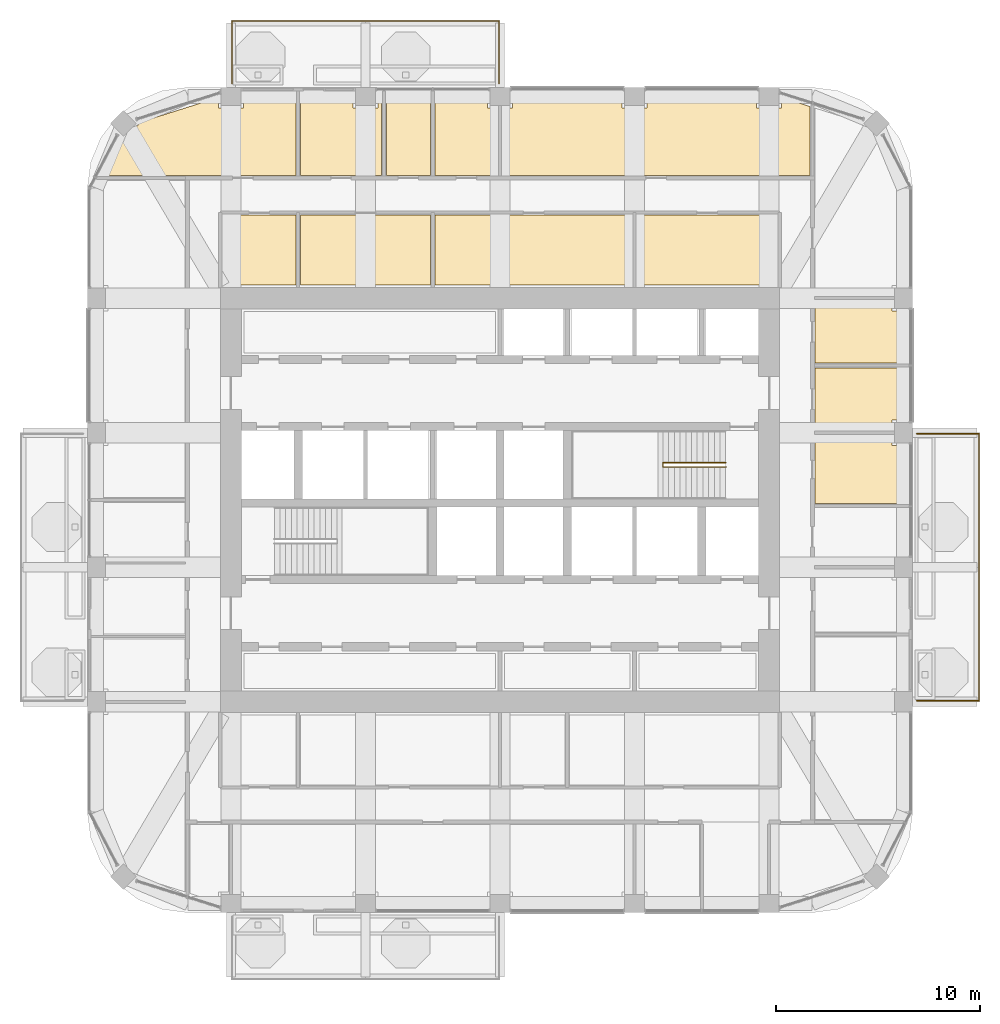
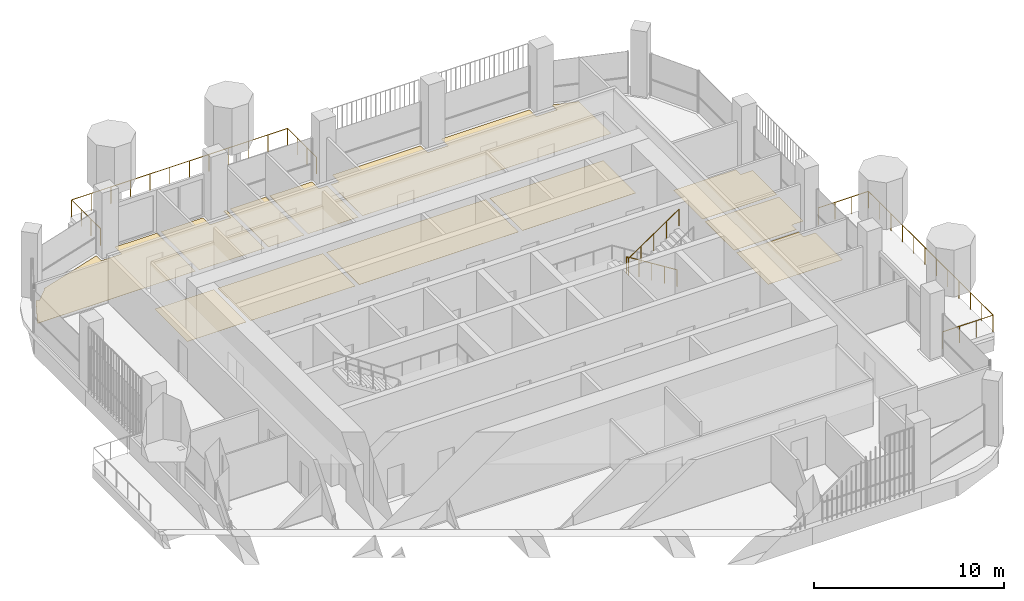
# One storey, part 18 of 20: 12 coverings, 3 railings.
"""IFC4 building model written with IfcOpenShell, lengths in metres."""

from ifc_helpers import new_model, si_unit, direction, frame, origin, place, context, subcontext, project, spatial, polyline, outline, extrude, material, layer, layer_set, type_object, element, save


model = new_model("IFC4")

# Units and contexts
model_context = context("Model", 3, precision=1e-05, world=origin(), true_north=direction((0.0, 1.0)))
body_context = subcontext(model_context, "Body", "Model", "MODEL_VIEW")
ifc_project = project(units=[si_unit("LENGTHUNIT", "METRE"), si_unit("AREAUNIT", "SQUARE_METRE"), si_unit("VOLUMEUNIT", "CUBIC_METRE"), si_unit("PLANEANGLEUNIT", "RADIAN"), si_unit("MASSUNIT", "GRAM", prefix="KILO")], contexts=[model_context])

# Site, building, storey
site_placement = place(None, origin())
site = spatial("IfcSite", under=ifc_project, at=site_placement, CompositionType="ELEMENT")
building_placement = place(site_placement, origin())
building = spatial("IfcBuilding", under=site, at=building_placement, Name="Cobogo Forest Laboratory Tower", CompositionType="ELEMENT")
storey_placement = place(building_placement, frame((0.0, 0.0, 279.60009765625)))
storey = spatial("IfcBuildingStorey", under=building, at=storey_placement, Name="L64", CompositionType="ELEMENT", Elevation=279.60009765625)

# Railings
ifc_material_1 = material(Name="Laminated glass balustrade", Category="glass")
railing_type_1 = type_object("IfcRailingType", Name="BG1 glass balustrade 1100", PredefinedType="GUARDRAIL", material=ifc_material_1)
railing_1_placement = place(storey_placement, frame((46.85009765625, 13.25, 0.0)))
element("IfcRailing", 1, at=railing_1_placement, inside=storey, type_object=railing_type_1, Name="Balcony balustrade BAL-E1 L64", PredefinedType="GUARDRAIL", context=body_context, shape_type="SweptSolid", body=[
    extrude(outline(polyline([(0.022216796875, 0.00927734375), (0.00927734375, 0.022216796875), (-0.00927734375, 0.022216796875), (-0.022216796875, 0.00927734375), (-0.022216796875, -0.00927734375), (-0.00927734375, -0.022216796875), (0.00927734375, -0.022216796875), (0.022216796875, -0.00927734375), (0.022216796875, 0.00927734375)])), frame((0.0, 0.0, 1.077880859375), z_axis=(1.0, 0.0, 0.0), x_axis=(0.0, 1.0, 0.0)), (0.0, 0.0, 1.0), 3.0498046875),
    extrude(outline(polyline([(0.022216796875, 0.00927734375), (0.00927734375, 0.022216796875), (-0.00927734375, 0.022216796875), (-0.022216796875, 0.00927734375), (-0.022216796875, -0.00927734375), (-0.00927734375, -0.022216796875), (0.00927734375, -0.022216796875), (0.022216796875, -0.00927734375), (0.022216796875, 0.00927734375)])), frame((3.0498046875, 0.0, 1.077880859375), z_axis=(0.0, 1.0, 0.0), x_axis=(-1.0, 0.0, 0.0)), (0.0, 0.0, 1.0), 13.10009765625),
    extrude(outline(polyline([(0.022216796875, 0.00927734375), (0.00927734375, 0.022216796875), (-0.00927734375, 0.022216796875), (-0.022216796875, 0.00927734375), (-0.022216796875, -0.00927734375), (-0.00927734375, -0.022216796875), (0.00927734375, -0.022216796875), (0.022216796875, -0.00927734375), (0.022216796875, 0.00927734375)])), frame((3.0498046875, 13.10009765625, 1.077880859375), z_axis=(-1.0, 0.0, 0.0), x_axis=(0.0, -1.0, 0.0)), (0.0, 0.0, 1.0), 3.0498046875),
    extrude(outline(polyline([(0.019287109375, 0.008056640625), (0.008056640625, 0.019287109375), (-0.008056640625, 0.019287109375), (-0.019287109375, 0.008056640625), (-0.019287109375, -0.008056640625), (-0.008056640625, -0.019287109375), (0.008056640625, -0.019287109375), (0.019287109375, -0.008056640625), (0.019287109375, 0.008056640625)])), origin(), (0.0, 0.0, 1.0), 1.077880859375),
    extrude(outline(polyline([(0.019287109375, 0.008056640625), (0.008056640625, 0.019287109375), (-0.008056640625, 0.019287109375), (-0.019287109375, 0.008056640625), (-0.019287109375, -0.008056640625), (-0.008056640625, -0.019287109375), (0.008056640625, -0.019287109375), (0.019287109375, -0.008056640625), (0.019287109375, 0.008056640625)])), frame((1.0166015625, 0.0, 0.0)), (0.0, 0.0, 1.0), 1.077880859375),
    extrude(outline(polyline([(0.019287109375, 0.008056640625), (0.008056640625, 0.019287109375), (-0.008056640625, 0.019287109375), (-0.019287109375, 0.008056640625), (-0.019287109375, -0.008056640625), (-0.008056640625, -0.019287109375), (0.008056640625, -0.019287109375), (0.019287109375, -0.008056640625), (0.019287109375, 0.008056640625)])), frame((2.033203125, 0.0, 0.0)), (0.0, 0.0, 1.0), 1.077880859375),
    extrude(outline(polyline([(0.019287109375, 0.008056640625), (0.008056640625, 0.019287109375), (-0.008056640625, 0.019287109375), (-0.019287109375, 0.008056640625), (-0.019287109375, -0.008056640625), (-0.008056640625, -0.019287109375), (0.008056640625, -0.019287109375), (0.019287109375, -0.008056640625), (0.019287109375, 0.008056640625)])), frame((3.0498046875, 0.0, 0.0)), (0.0, 0.0, 1.0), 1.077880859375),
    extrude(outline(polyline([(0.019287109375, 0.008056640625), (0.008056640625, 0.019287109375), (-0.008056640625, 0.019287109375), (-0.019287109375, 0.008056640625), (-0.019287109375, -0.008056640625), (-0.008056640625, -0.019287109375), (0.008056640625, -0.019287109375), (0.019287109375, -0.008056640625), (0.019287109375, 0.008056640625)])), frame((3.0498046875, 1.19091796875, 0.0)), (0.0, 0.0, 1.0), 1.077880859375),
    extrude(outline(polyline([(0.019287109375, 0.008056640625), (0.008056640625, 0.019287109375), (-0.008056640625, 0.019287109375), (-0.019287109375, 0.008056640625), (-0.019287109375, -0.008056640625), (-0.008056640625, -0.019287109375), (0.008056640625, -0.019287109375), (0.019287109375, -0.008056640625), (0.019287109375, 0.008056640625)])), frame((3.0498046875, 2.3818359375, 0.0)), (0.0, 0.0, 1.0), 1.077880859375),
    extrude(outline(polyline([(0.019287109375, 0.008056640625), (0.008056640625, 0.019287109375), (-0.008056640625, 0.019287109375), (-0.019287109375, 0.008056640625), (-0.019287109375, -0.008056640625), (-0.008056640625, -0.019287109375), (0.008056640625, -0.019287109375), (0.019287109375, -0.008056640625), (0.019287109375, 0.008056640625)])), frame((3.0498046875, 3.57275390625, 0.0)), (0.0, 0.0, 1.0), 1.077880859375),
    extrude(outline(polyline([(0.019287109375, 0.008056640625), (0.008056640625, 0.019287109375), (-0.008056640625, 0.019287109375), (-0.019287109375, 0.008056640625), (-0.019287109375, -0.008056640625), (-0.008056640625, -0.019287109375), (0.008056640625, -0.019287109375), (0.019287109375, -0.008056640625), (0.019287109375, 0.008056640625)])), frame((3.0498046875, 4.763671875, 0.0)), (0.0, 0.0, 1.0), 1.077880859375),
    extrude(outline(polyline([(0.019287109375, 0.008056640625), (0.008056640625, 0.019287109375), (-0.008056640625, 0.019287109375), (-0.019287109375, 0.008056640625), (-0.019287109375, -0.008056640625), (-0.008056640625, -0.019287109375), (0.008056640625, -0.019287109375), (0.019287109375, -0.008056640625), (0.019287109375, 0.008056640625)])), frame((3.0498046875, 5.95458984375, 0.0)), (0.0, 0.0, 1.0), 1.077880859375),
    extrude(outline(polyline([(0.019287109375, 0.008056640625), (0.008056640625, 0.019287109375), (-0.008056640625, 0.019287109375), (-0.019287109375, 0.008056640625), (-0.019287109375, -0.008056640625), (-0.008056640625, -0.019287109375), (0.008056640625, -0.019287109375), (0.019287109375, -0.008056640625), (0.019287109375, 0.008056640625)])), frame((3.0498046875, 7.1455078125, 0.0)), (0.0, 0.0, 1.0), 1.077880859375),
    extrude(outline(polyline([(0.019287109375, 0.008056640625), (0.008056640625, 0.019287109375), (-0.008056640625, 0.019287109375), (-0.019287109375, 0.008056640625), (-0.019287109375, -0.008056640625), (-0.008056640625, -0.019287109375), (0.008056640625, -0.019287109375), (0.019287109375, -0.008056640625), (0.019287109375, 0.008056640625)])), frame((3.0498046875, 8.33642578125, 0.0)), (0.0, 0.0, 1.0), 1.077880859375),
    extrude(outline(polyline([(0.019287109375, 0.008056640625), (0.008056640625, 0.019287109375), (-0.008056640625, 0.019287109375), (-0.019287109375, 0.008056640625), (-0.019287109375, -0.008056640625), (-0.008056640625, -0.019287109375), (0.008056640625, -0.019287109375), (0.019287109375, -0.008056640625), (0.019287109375, 0.008056640625)])), frame((3.0498046875, 9.52734375, 0.0)), (0.0, 0.0, 1.0), 1.077880859375),
    extrude(outline(polyline([(0.019287109375, 0.008056640625), (0.008056640625, 0.019287109375), (-0.008056640625, 0.019287109375), (-0.019287109375, 0.008056640625), (-0.019287109375, -0.008056640625), (-0.008056640625, -0.019287109375), (0.008056640625, -0.019287109375), (0.019287109375, -0.008056640625), (0.019287109375, 0.008056640625)])), frame((3.0498046875, 10.71826171875, 0.0)), (0.0, 0.0, 1.0), 1.077880859375),
    extrude(outline(polyline([(0.019287109375, 0.008056640625), (0.008056640625, 0.019287109375), (-0.008056640625, 0.019287109375), (-0.019287109375, 0.008056640625), (-0.019287109375, -0.008056640625), (-0.008056640625, -0.019287109375), (0.008056640625, -0.019287109375), (0.019287109375, -0.008056640625), (0.019287109375, 0.008056640625)])), frame((3.0498046875, 11.9091796875, 0.0)), (0.0, 0.0, 1.0), 1.077880859375),
    extrude(outline(polyline([(0.019287109375, 0.008056640625), (0.008056640625, 0.019287109375), (-0.008056640625, 0.019287109375), (-0.019287109375, 0.008056640625), (-0.019287109375, -0.008056640625), (-0.008056640625, -0.019287109375), (0.008056640625, -0.019287109375), (0.019287109375, -0.008056640625), (0.019287109375, 0.008056640625)])), frame((3.0498046875, 13.10009765625, 0.0)), (0.0, 0.0, 1.0), 1.077880859375),
    extrude(outline(polyline([(0.019287109375, 0.008056640625), (0.008056640625, 0.019287109375), (-0.008056640625, 0.019287109375), (-0.019287109375, 0.008056640625), (-0.019287109375, -0.008056640625), (-0.008056640625, -0.019287109375), (0.008056640625, -0.019287109375), (0.019287109375, -0.008056640625), (0.019287109375, 0.008056640625)])), frame((2.033203125, 13.10009765625, 0.0)), (0.0, 0.0, 1.0), 1.077880859375),
    extrude(outline(polyline([(0.019287109375, 0.008056640625), (0.008056640625, 0.019287109375), (-0.008056640625, 0.019287109375), (-0.019287109375, 0.008056640625), (-0.019287109375, -0.008056640625), (-0.008056640625, -0.019287109375), (0.008056640625, -0.019287109375), (0.019287109375, -0.008056640625), (0.019287109375, 0.008056640625)])), frame((1.0166015625, 13.10009765625, 0.0)), (0.0, 0.0, 1.0), 1.077880859375),
    extrude(outline(polyline([(0.019287109375, 0.008056640625), (0.008056640625, 0.019287109375), (-0.008056640625, 0.019287109375), (-0.019287109375, 0.008056640625), (-0.019287109375, -0.008056640625), (-0.008056640625, -0.019287109375), (0.008056640625, -0.019287109375), (0.019287109375, -0.008056640625), (0.019287109375, 0.008056640625)])), frame((0.0, 13.10009765625, 0.0)), (0.0, 0.0, 1.0), 1.077880859375),
])
railing_2_placement = place(storey_placement, frame((13.25, 43.550048828125, 0.0)))
element("IfcRailing", 2, at=railing_2_placement, inside=storey, type_object=railing_type_1, Name="Balcony balustrade BAL-N1 L64", PredefinedType="GUARDRAIL", context=body_context, shape_type="SweptSolid", body=[
    extrude(outline(polyline([(0.022216796875, 0.00927734375), (0.00927734375, 0.022216796875), (-0.00927734375, 0.022216796875), (-0.022216796875, 0.00927734375), (-0.022216796875, -0.00927734375), (-0.00927734375, -0.022216796875), (0.00927734375, -0.022216796875), (0.022216796875, -0.00927734375), (0.022216796875, 0.00927734375)])), frame((0.0, 0.0, 1.077880859375), z_axis=(0.0, 1.0, 0.0), x_axis=(-1.0, 0.0, 0.0)), (0.0, 0.0, 1.0), 3.050048828125),
    extrude(outline(polyline([(0.022216796875, 0.00927734375), (0.00927734375, 0.022216796875), (-0.00927734375, 0.022216796875), (-0.022216796875, 0.00927734375), (-0.022216796875, -0.00927734375), (-0.00927734375, -0.022216796875), (0.00927734375, -0.022216796875), (0.022216796875, -0.00927734375), (0.022216796875, 0.00927734375)])), frame((0.0, 3.050048828125, 1.077880859375), z_axis=(1.0, 0.0, 0.0), x_axis=(0.0, 1.0, 0.0)), (0.0, 0.0, 1.0), 13.10009765625),
    extrude(outline(polyline([(0.022216796875, 0.00927734375), (0.00927734375, 0.022216796875), (-0.00927734375, 0.022216796875), (-0.022216796875, 0.00927734375), (-0.022216796875, -0.00927734375), (-0.00927734375, -0.022216796875), (0.00927734375, -0.022216796875), (0.022216796875, -0.00927734375), (0.022216796875, 0.00927734375)])), frame((13.10009765625, 3.050048828125, 1.077880859375), z_axis=(0.0, -1.0, 0.0), x_axis=(1.0, 0.0, 0.0)), (0.0, 0.0, 1.0), 3.050048828125),
    extrude(outline(polyline([(0.019287109375, 0.008056640625), (0.008056640625, 0.019287109375), (-0.008056640625, 0.019287109375), (-0.019287109375, 0.008056640625), (-0.019287109375, -0.008056640625), (-0.008056640625, -0.019287109375), (0.008056640625, -0.019287109375), (0.019287109375, -0.008056640625), (0.019287109375, 0.008056640625)])), origin(), (0.0, 0.0, 1.0), 1.077880859375),
    extrude(outline(polyline([(0.019287109375, 0.008056640625), (0.008056640625, 0.019287109375), (-0.008056640625, 0.019287109375), (-0.019287109375, 0.008056640625), (-0.019287109375, -0.008056640625), (-0.008056640625, -0.019287109375), (0.008056640625, -0.019287109375), (0.019287109375, -0.008056640625), (0.019287109375, 0.008056640625)])), frame((0.0, 1.0166015625, 0.0)), (0.0, 0.0, 1.0), 1.077880859375),
    extrude(outline(polyline([(0.019287109375, 0.008056640625), (0.008056640625, 0.019287109375), (-0.008056640625, 0.019287109375), (-0.019287109375, 0.008056640625), (-0.019287109375, -0.008056640625), (-0.008056640625, -0.019287109375), (0.008056640625, -0.019287109375), (0.019287109375, -0.008056640625), (0.019287109375, 0.008056640625)])), frame((0.0, 2.033447265625, 0.0)), (0.0, 0.0, 1.0), 1.077880859375),
    extrude(outline(polyline([(0.019287109375, 0.008056640625), (0.008056640625, 0.019287109375), (-0.008056640625, 0.019287109375), (-0.019287109375, 0.008056640625), (-0.019287109375, -0.008056640625), (-0.008056640625, -0.019287109375), (0.008056640625, -0.019287109375), (0.019287109375, -0.008056640625), (0.019287109375, 0.008056640625)])), frame((0.0, 3.050048828125, 0.0)), (0.0, 0.0, 1.0), 1.077880859375),
    extrude(outline(polyline([(0.019287109375, 0.008056640625), (0.008056640625, 0.019287109375), (-0.008056640625, 0.019287109375), (-0.019287109375, 0.008056640625), (-0.019287109375, -0.008056640625), (-0.008056640625, -0.019287109375), (0.008056640625, -0.019287109375), (0.019287109375, -0.008056640625), (0.019287109375, 0.008056640625)])), frame((1.19091796875, 3.050048828125, 0.0)), (0.0, 0.0, 1.0), 1.077880859375),
    extrude(outline(polyline([(0.019287109375, 0.008056640625), (0.008056640625, 0.019287109375), (-0.008056640625, 0.019287109375), (-0.019287109375, 0.008056640625), (-0.019287109375, -0.008056640625), (-0.008056640625, -0.019287109375), (0.008056640625, -0.019287109375), (0.019287109375, -0.008056640625), (0.019287109375, 0.008056640625)])), frame((2.3818359375, 3.050048828125, 0.0)), (0.0, 0.0, 1.0), 1.077880859375),
    extrude(outline(polyline([(0.019287109375, 0.008056640625), (0.008056640625, 0.019287109375), (-0.008056640625, 0.019287109375), (-0.019287109375, 0.008056640625), (-0.019287109375, -0.008056640625), (-0.008056640625, -0.019287109375), (0.008056640625, -0.019287109375), (0.019287109375, -0.008056640625), (0.019287109375, 0.008056640625)])), frame((3.57275390625, 3.050048828125, 0.0)), (0.0, 0.0, 1.0), 1.077880859375),
    extrude(outline(polyline([(0.019287109375, 0.008056640625), (0.008056640625, 0.019287109375), (-0.008056640625, 0.019287109375), (-0.019287109375, 0.008056640625), (-0.019287109375, -0.008056640625), (-0.008056640625, -0.019287109375), (0.008056640625, -0.019287109375), (0.019287109375, -0.008056640625), (0.019287109375, 0.008056640625)])), frame((4.763671875, 3.050048828125, 0.0)), (0.0, 0.0, 1.0), 1.077880859375),
    extrude(outline(polyline([(0.019287109375, 0.008056640625), (0.008056640625, 0.019287109375), (-0.008056640625, 0.019287109375), (-0.019287109375, 0.008056640625), (-0.019287109375, -0.008056640625), (-0.008056640625, -0.019287109375), (0.008056640625, -0.019287109375), (0.019287109375, -0.008056640625), (0.019287109375, 0.008056640625)])), frame((5.95458984375, 3.050048828125, 0.0)), (0.0, 0.0, 1.0), 1.077880859375),
    extrude(outline(polyline([(0.019287109375, 0.008056640625), (0.008056640625, 0.019287109375), (-0.008056640625, 0.019287109375), (-0.019287109375, 0.008056640625), (-0.019287109375, -0.008056640625), (-0.008056640625, -0.019287109375), (0.008056640625, -0.019287109375), (0.019287109375, -0.008056640625), (0.019287109375, 0.008056640625)])), frame((7.1455078125, 3.050048828125, 0.0)), (0.0, 0.0, 1.0), 1.077880859375),
    extrude(outline(polyline([(0.019287109375, 0.008056640625), (0.008056640625, 0.019287109375), (-0.008056640625, 0.019287109375), (-0.019287109375, 0.008056640625), (-0.019287109375, -0.008056640625), (-0.008056640625, -0.019287109375), (0.008056640625, -0.019287109375), (0.019287109375, -0.008056640625), (0.019287109375, 0.008056640625)])), frame((8.33642578125, 3.050048828125, 0.0)), (0.0, 0.0, 1.0), 1.077880859375),
    extrude(outline(polyline([(0.019287109375, 0.008056640625), (0.008056640625, 0.019287109375), (-0.008056640625, 0.019287109375), (-0.019287109375, 0.008056640625), (-0.019287109375, -0.008056640625), (-0.008056640625, -0.019287109375), (0.008056640625, -0.019287109375), (0.019287109375, -0.008056640625), (0.019287109375, 0.008056640625)])), frame((9.52734375, 3.050048828125, 0.0)), (0.0, 0.0, 1.0), 1.077880859375),
    extrude(outline(polyline([(0.019287109375, 0.008056640625), (0.008056640625, 0.019287109375), (-0.008056640625, 0.019287109375), (-0.019287109375, 0.008056640625), (-0.019287109375, -0.008056640625), (-0.008056640625, -0.019287109375), (0.008056640625, -0.019287109375), (0.019287109375, -0.008056640625), (0.019287109375, 0.008056640625)])), frame((10.71826171875, 3.050048828125, 0.0)), (0.0, 0.0, 1.0), 1.077880859375),
    extrude(outline(polyline([(0.019287109375, 0.008056640625), (0.008056640625, 0.019287109375), (-0.008056640625, 0.019287109375), (-0.019287109375, 0.008056640625), (-0.019287109375, -0.008056640625), (-0.008056640625, -0.019287109375), (0.008056640625, -0.019287109375), (0.019287109375, -0.008056640625), (0.019287109375, 0.008056640625)])), frame((11.9091796875, 3.050048828125, 0.0)), (0.0, 0.0, 1.0), 1.077880859375),
    extrude(outline(polyline([(0.019287109375, 0.008056640625), (0.008056640625, 0.019287109375), (-0.008056640625, 0.019287109375), (-0.019287109375, 0.008056640625), (-0.019287109375, -0.008056640625), (-0.008056640625, -0.019287109375), (0.008056640625, -0.019287109375), (0.019287109375, -0.008056640625), (0.019287109375, 0.008056640625)])), frame((13.10009765625, 3.050048828125, 0.0)), (0.0, 0.0, 1.0), 1.077880859375),
    extrude(outline(polyline([(0.019287109375, 0.008056640625), (0.008056640625, 0.019287109375), (-0.008056640625, 0.019287109375), (-0.019287109375, 0.008056640625), (-0.019287109375, -0.008056640625), (-0.008056640625, -0.019287109375), (0.008056640625, -0.019287109375), (0.019287109375, -0.008056640625), (0.019287109375, 0.008056640625)])), frame((13.10009765625, 2.033447265625, 0.0)), (0.0, 0.0, 1.0), 1.077880859375),
    extrude(outline(polyline([(0.019287109375, 0.008056640625), (0.008056640625, 0.019287109375), (-0.008056640625, 0.019287109375), (-0.019287109375, 0.008056640625), (-0.019287109375, -0.008056640625), (-0.008056640625, -0.019287109375), (0.008056640625, -0.019287109375), (0.019287109375, -0.008056640625), (0.019287109375, 0.008056640625)])), frame((13.10009765625, 1.0166015625, 0.0)), (0.0, 0.0, 1.0), 1.077880859375),
    extrude(outline(polyline([(0.019287109375, 0.008056640625), (0.008056640625, 0.019287109375), (-0.008056640625, 0.019287109375), (-0.019287109375, 0.008056640625), (-0.019287109375, -0.008056640625), (-0.008056640625, -0.019287109375), (0.008056640625, -0.019287109375), (0.019287109375, -0.008056640625), (0.019287109375, 0.008056640625)])), frame((13.10009765625, 0.0, 0.0)), (0.0, 0.0, 1.0), 1.077880859375),
])

# Coverings
ifc_material_2 = material(Name="Carpet tile on raised access floor", Category="flooring")
ifc_layer_1 = layer(ifc_material_2, 0.008056640625)
ifc_layer_set_1 = layer_set([ifc_layer_1], Name="CT1 carpet tile floor 8")
covering_type_1 = type_object("IfcCoveringType", Name="CT1 carpet tile floor 8", PredefinedType="FLOORING", material=ifc_layer_set_1)
covering_1_placement = place(storey_placement, origin())
element("IfcCovering", 3, at=covering_1_placement, inside=storey, type_object=covering_type_1, Name="Carpet floor L64-01", PredefinedType="FLOORING", context=body_context, shape_type="SweptSolid", body=[
    extrude(outline(polyline([(16.3798828125, 33.64501953125), (12.794921875, 33.64501953125), (12.794921875, 37.080078125), (16.3798828125, 37.080078125), (16.3798828125, 33.64501953125)])), origin(), (0.0, 0.0, 1.0), 0.0078125),
])
covering_2_placement = place(storey_placement, origin())
element("IfcCovering", 4, at=covering_2_placement, inside=storey, type_object=covering_type_1, Name="Carpet floor L64-02", PredefinedType="FLOORING", context=body_context, shape_type="SweptSolid", body=[
    extrude(outline(polyline([(22.97998046875, 33.64501953125), (16.6201171875, 33.64501953125), (16.6201171875, 37.080078125), (22.97998046875, 37.080078125), (22.97998046875, 33.64501953125)])), origin(), (0.0, 0.0, 1.0), 0.0078125),
])
covering_3_placement = place(storey_placement, origin())
element("IfcCovering", 5, at=covering_3_placement, inside=storey, type_object=covering_type_1, Name="Carpet floor L64-03", PredefinedType="FLOORING", context=body_context, shape_type="SweptSolid", body=[
    extrude(outline(polyline([(32.8798828125, 33.64501953125), (23.219970703125, 33.64501953125), (23.219970703125, 37.080078125), (32.8798828125, 37.080078125), (32.8798828125, 33.64501953125)])), origin(), (0.0, 0.0, 1.0), 0.0078125),
])
covering_4_placement = place(storey_placement, origin())
element("IfcCovering", 6, at=covering_4_placement, inside=storey, type_object=covering_type_1, Name="Carpet floor L64-04", PredefinedType="FLOORING", context=body_context, shape_type="SweptSolid", body=[
    extrude(outline(polyline([(40.0048828125, 33.64501953125), (33.1201171875, 33.64501953125), (33.1201171875, 37.080078125), (40.0048828125, 37.080078125), (40.0048828125, 33.64501953125)])), origin(), (0.0, 0.0, 1.0), 0.0078125),
])
covering_5_placement = place(storey_placement, origin())
element("IfcCovering", 7, at=covering_5_placement, inside=storey, type_object=covering_type_1, Name="Carpet floor L64-17", PredefinedType="FLOORING", context=body_context, shape_type="SweptSolid", body=[
    extrude(outline(polyline([(41.844970703125, 29.580078125), (46.35009765625, 29.580078125), (46.35009765625, 27.02001953125), (45.6298828125, 27.02001953125), (45.6298828125, 26.52001953125), (41.844970703125, 26.52001953125), (41.844970703125, 29.580078125)])), origin(), (0.0, 0.0, 1.0), 0.0078125),
])
covering_6_placement = place(storey_placement, origin())
element("IfcCovering", 8, at=covering_6_placement, inside=storey, type_object=covering_type_1, Name="Carpet floor L64-18", PredefinedType="FLOORING", context=body_context, shape_type="SweptSolid", body=[
    extrude(outline(polyline([(41.844970703125, 32.8798828125), (45.6298828125, 32.8798828125), (45.6298828125, 32.3798828125), (46.35009765625, 32.3798828125), (46.35009765625, 29.820068359375), (41.844970703125, 29.820068359375), (41.844970703125, 32.8798828125)])), origin(), (0.0, 0.0, 1.0), 0.0078125),
])
covering_7_placement = place(storey_placement, origin())
element("IfcCovering", 9, at=covering_7_placement, inside=storey, type_object=covering_type_1, Name="Carpet floor L64-20", PredefinedType="FLOORING", context=body_context, shape_type="SweptSolid", body=[
    extrude(outline(polyline([(6.80078125, 39.02001953125), (7.788818359375, 40.905029296875), (7.91796875, 40.77587890625), (8.72412109375, 41.58203125), (8.68994140625, 41.615966796875), (12.580078125, 42.844482421875), (12.580078125, 42.330078125), (13.820068359375, 42.330078125), (13.820068359375, 43.050048828125), (16.3798828125, 43.050048828125), (16.3798828125, 39.02001953125), (6.80078125, 39.02001953125)])), origin(), (0.0, 0.0, 1.0), 0.0078125),
])
covering_8_placement = place(storey_placement, origin())
element("IfcCovering", 10, at=covering_8_placement, inside=storey, type_object=covering_type_1, Name="Carpet floor L64-21", PredefinedType="FLOORING", context=body_context, shape_type="SweptSolid", body=[
    extrude(outline(polyline([(16.6201171875, 39.02001953125), (16.6201171875, 43.050048828125), (19.179931640625, 43.050048828125), (19.179931640625, 42.330078125), (20.419921875, 42.330078125), (20.419921875, 43.050048828125), (20.580078125, 43.050048828125), (20.580078125, 39.02001953125), (16.6201171875, 39.02001953125)])), origin(), (0.0, 0.0, 1.0), 0.0078125),
])
covering_9_placement = place(storey_placement, origin())
element("IfcCovering", 11, at=covering_9_placement, inside=storey, type_object=covering_type_1, Name="Carpet floor L64-23", PredefinedType="FLOORING", context=body_context, shape_type="SweptSolid", body=[
    extrude(outline(polyline([(23.219970703125, 39.02001953125), (23.219970703125, 43.050048828125), (25.780029296875, 43.050048828125), (25.780029296875, 42.330078125), (26.280029296875, 42.330078125), (26.280029296875, 39.02001953125), (23.219970703125, 39.02001953125)])), origin(), (0.0, 0.0, 1.0), 0.0078125),
])
covering_10_placement = place(storey_placement, origin())
element("IfcCovering", 12, at=covering_10_placement, inside=storey, type_object=covering_type_1, Name="Carpet floor L64-24", PredefinedType="FLOORING", context=body_context, shape_type="SweptSolid", body=[
    extrude(outline(polyline([(26.52001953125, 39.02001953125), (26.52001953125, 42.330078125), (27.02001953125, 42.330078125), (27.02001953125, 43.050048828125), (32.3798828125, 43.050048828125), (32.3798828125, 42.330078125), (33.6201171875, 42.330078125), (33.6201171875, 43.050048828125), (38.97998046875, 43.050048828125), (38.97998046875, 42.330078125), (40.219970703125, 42.330078125), (40.219970703125, 42.844482421875), (41.60498046875, 42.406982421875), (41.60498046875, 39.02001953125), (26.52001953125, 39.02001953125)])), origin(), (0.0, 0.0, 1.0), 0.0078125),
])

# Railing
ifc_material_3 = material(Name="Steel balustrade", Category="steel")
railing_type_2 = type_object("IfcRailingType", Name="GR stair guard 1100", PredefinedType="GUARDRAIL", material=ifc_material_3)
railing_3_placement = place(storey_placement, frame((37.47509765625, 24.929931640625, 0.1748046875)))
element("IfcRailing", 13, at=railing_3_placement, inside=storey, type_object=railing_type_2, Name="Stair guard ST2 L64", PredefinedType="GUARDRAIL", context=body_context, shape_type="SweptSolid", body=[
    extrude(outline(polyline([(0.022216796875, 0.00927734375), (0.00927734375, 0.022216796875), (-0.00927734375, 0.022216796875), (-0.022216796875, 0.00927734375), (-0.022216796875, -0.00927734375), (-0.00927734375, -0.022216796875), (0.00927734375, -0.022216796875), (0.022216796875, -0.00927734375), (0.022216796875, 0.00927734375)])), frame((0.0, 0.0, 1.077880859375), z_axis=(-0.847998304005, 0.0, 0.529998940003), x_axis=(0.0, -1.0, 0.0)), (0.0, 0.0, 1.0), 3.632080078125),
    extrude(outline(polyline([(0.022216796875, 0.00927734375), (0.00927734375, 0.022216796875), (-0.00927734375, 0.022216796875), (-0.022216796875, 0.00927734375), (-0.022216796875, -0.00927734375), (-0.00927734375, -0.022216796875), (0.00927734375, -0.022216796875), (0.022216796875, -0.00927734375), (0.022216796875, 0.00927734375)])), frame((-3.080078125, 0.0, 3.0029296875), z_axis=(0.0, -1.0, 0.0), x_axis=(1.0, 0.0, 0.0)), (0.0, 0.0, 1.0), 0.2099609375),
    extrude(outline(polyline([(0.022216796875, 0.00927734375), (0.00927734375, 0.022216796875), (-0.00927734375, 0.022216796875), (-0.022216796875, 0.00927734375), (-0.022216796875, -0.00927734375), (-0.00927734375, -0.022216796875), (0.00927734375, -0.022216796875), (0.022216796875, -0.00927734375), (0.022216796875, 0.00927734375)])), frame((-3.080078125, -0.2099609375, 3.0029296875), z_axis=(0.826221800596, 0.0, 0.563344953133), x_axis=(0.0, 1.0, 0.0)), (0.0, 0.0, 1.0), 3.72802734375),
    extrude(outline(polyline([(0.019287109375, 0.008056640625), (0.008056640625, 0.019287109375), (-0.008056640625, 0.019287109375), (-0.019287109375, 0.008056640625), (-0.019287109375, -0.008056640625), (-0.008056640625, -0.019287109375), (0.008056640625, -0.019287109375), (0.019287109375, -0.008056640625), (0.019287109375, 0.008056640625)])), origin(), (0.0, 0.0, 1.0), 1.077880859375),
    extrude(outline(polyline([(0.019287109375, 0.008056640625), (0.008056640625, 0.019287109375), (-0.008056640625, 0.019287109375), (-0.019287109375, 0.008056640625), (-0.019287109375, -0.008056640625), (-0.008056640625, -0.019287109375), (0.008056640625, -0.019287109375), (0.019287109375, -0.008056640625), (0.019287109375, 0.008056640625)])), frame((-0.77001953125, 0.0, 0.481201171875)), (0.0, 0.0, 1.0), 1.077880859375),
    extrude(outline(polyline([(0.019287109375, 0.008056640625), (0.008056640625, 0.019287109375), (-0.008056640625, 0.019287109375), (-0.019287109375, 0.008056640625), (-0.019287109375, -0.008056640625), (-0.008056640625, -0.019287109375), (0.008056640625, -0.019287109375), (0.019287109375, -0.008056640625), (0.019287109375, 0.008056640625)])), frame((-1.5400390625, 0.0, 0.96240234375)), (0.0, 0.0, 1.0), 1.077880859375),
    extrude(outline(polyline([(0.019287109375, 0.008056640625), (0.008056640625, 0.019287109375), (-0.008056640625, 0.019287109375), (-0.019287109375, 0.008056640625), (-0.019287109375, -0.008056640625), (-0.008056640625, -0.019287109375), (0.008056640625, -0.019287109375), (0.019287109375, -0.008056640625), (0.019287109375, 0.008056640625)])), frame((-2.31005859375, 0.0, 1.44384765625)), (0.0, 0.0, 1.0), 1.077880859375),
    extrude(outline(polyline([(0.019287109375, 0.008056640625), (0.008056640625, 0.019287109375), (-0.008056640625, 0.019287109375), (-0.019287109375, 0.008056640625), (-0.019287109375, -0.008056640625), (-0.008056640625, -0.019287109375), (0.008056640625, -0.019287109375), (0.019287109375, -0.008056640625), (0.019287109375, 0.008056640625)])), frame((-3.080078125, 0.0, 1.925048828125)), (0.0, 0.0, 1.0), 1.077880859375),
    extrude(outline(polyline([(0.019287109375, 0.008056640625), (0.008056640625, 0.019287109375), (-0.008056640625, 0.019287109375), (-0.019287109375, 0.008056640625), (-0.019287109375, -0.008056640625), (-0.008056640625, -0.019287109375), (0.008056640625, -0.019287109375), (0.019287109375, -0.008056640625), (0.019287109375, 0.008056640625)])), frame((-3.080078125, -0.2099609375, 1.925048828125)), (0.0, 0.0, 1.0), 1.077880859375),
    extrude(outline(polyline([(0.019287109375, 0.008056640625), (0.008056640625, 0.019287109375), (-0.008056640625, 0.019287109375), (-0.019287109375, 0.008056640625), (-0.019287109375, -0.008056640625), (-0.008056640625, -0.019287109375), (0.008056640625, -0.019287109375), (0.019287109375, -0.008056640625), (0.019287109375, 0.008056640625)])), frame((-2.31005859375, -0.2099609375, 2.4501953125)), (0.0, 0.0, 1.0), 1.077880859375),
    extrude(outline(polyline([(0.019287109375, 0.008056640625), (0.008056640625, 0.019287109375), (-0.008056640625, 0.019287109375), (-0.019287109375, 0.008056640625), (-0.019287109375, -0.008056640625), (-0.008056640625, -0.019287109375), (0.008056640625, -0.019287109375), (0.019287109375, -0.008056640625), (0.019287109375, 0.008056640625)])), frame((-1.5400390625, -0.2099609375, 2.97509765625)), (0.0, 0.0, 1.0), 1.077880859375),
    extrude(outline(polyline([(0.019287109375, 0.008056640625), (0.008056640625, 0.019287109375), (-0.008056640625, 0.019287109375), (-0.019287109375, 0.008056640625), (-0.019287109375, -0.008056640625), (-0.008056640625, -0.019287109375), (0.008056640625, -0.019287109375), (0.019287109375, -0.008056640625), (0.019287109375, 0.008056640625)])), frame((-0.77001953125, -0.2099609375, 3.5)), (0.0, 0.0, 1.0), 1.077880859375),
    extrude(outline(polyline([(0.019287109375, 0.008056640625), (0.008056640625, 0.019287109375), (-0.008056640625, 0.019287109375), (-0.019287109375, 0.008056640625), (-0.019287109375, -0.008056640625), (-0.008056640625, -0.019287109375), (0.008056640625, -0.019287109375), (0.019287109375, -0.008056640625), (0.019287109375, 0.008056640625)])), frame((0.0, -0.2099609375, 4.025146484375)), (0.0, 0.0, 1.0), 1.077880859375),
])

# Coverings
ifc_material_4 = material(Name="Static-dissipative vinyl flooring", Category="flooring")
ifc_layer_2 = layer(ifc_material_4, 0.0029296875)
ifc_layer_set_2 = layer_set([ifc_layer_2], Name="SD1 static-dissipative vinyl floor 3")
covering_type_2 = type_object("IfcCoveringType", Name="SD1 static-dissipative vinyl floor 3", PredefinedType="FLOORING", material=ifc_layer_set_2)
covering_11_placement = place(storey_placement, origin())
element("IfcCovering", 14, at=covering_11_placement, inside=storey, type_object=covering_type_2, Name="Static-dissipative floor L64-16", PredefinedType="FLOORING", context=body_context, shape_type="SweptSolid", body=[
    extrude(outline(polyline([(41.844970703125, 26.280029296875), (45.6298828125, 26.280029296875), (45.6298828125, 25.780029296875), (46.35009765625, 25.780029296875), (46.35009765625, 22.919921875), (41.844970703125, 22.919921875), (41.844970703125, 26.280029296875)])), origin(), (0.0, 0.0, 1.0), 0.0029296875),
])
ifc_material_5 = material(Name="Ceramic floor tile", Category="flooring")
ifc_layer_3 = layer(ifc_material_5, 0.010009765625)
ifc_layer_set_3 = layer_set([ifc_layer_3], Name="TF1 ceramic tile floor 10")
covering_type_3 = type_object("IfcCoveringType", Name="TF1 ceramic tile floor 10", PredefinedType="FLOORING", material=ifc_layer_set_3)
covering_12_placement = place(storey_placement, origin())
element("IfcCovering", 15, at=covering_12_placement, inside=storey, type_object=covering_type_3, Name="Tile floor L64-22", PredefinedType="FLOORING", context=body_context, shape_type="SweptSolid", body=[
    extrude(outline(polyline([(22.97998046875, 39.02001953125), (20.820068359375, 39.02001953125), (20.820068359375, 43.050048828125), (22.97998046875, 43.050048828125), (22.97998046875, 39.02001953125)])), origin(), (0.0, 0.0, 1.0), 0.010009765625),
])

save(model, "model.ifc")
